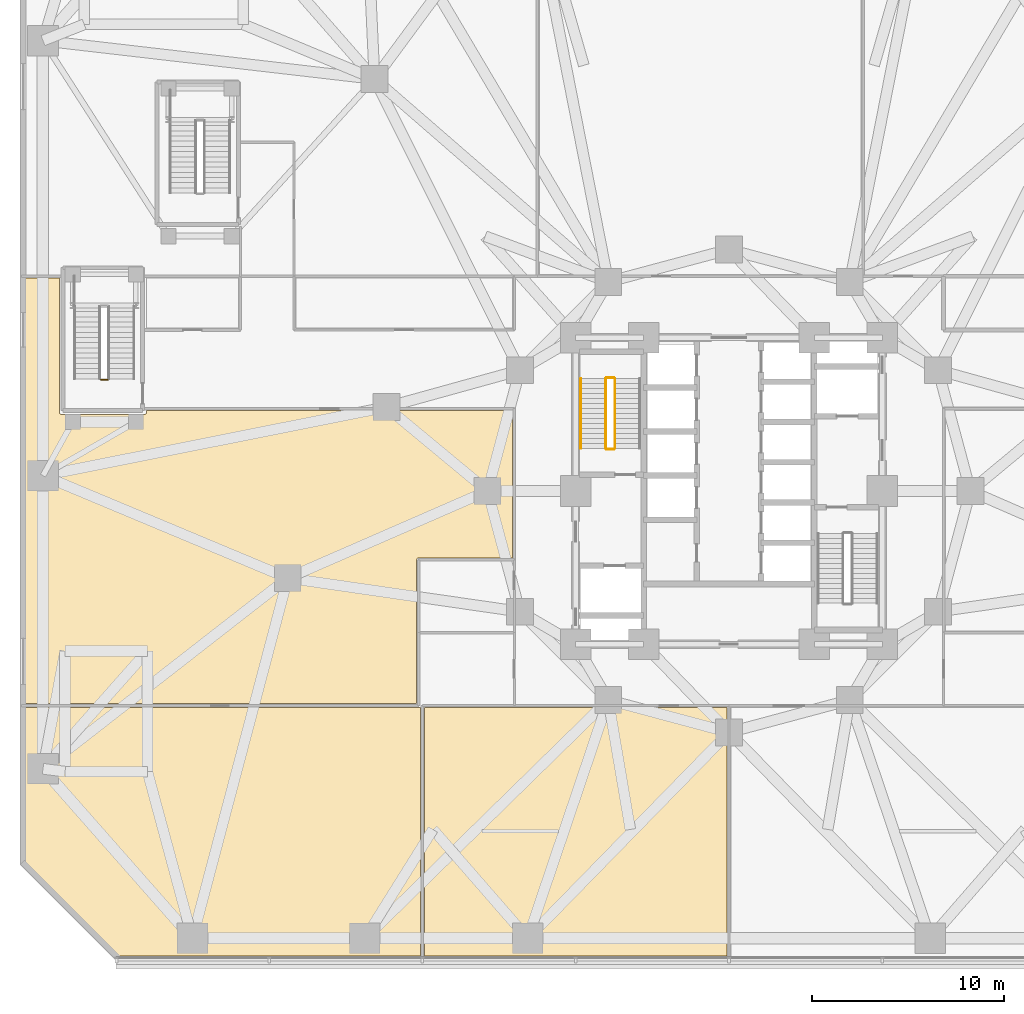
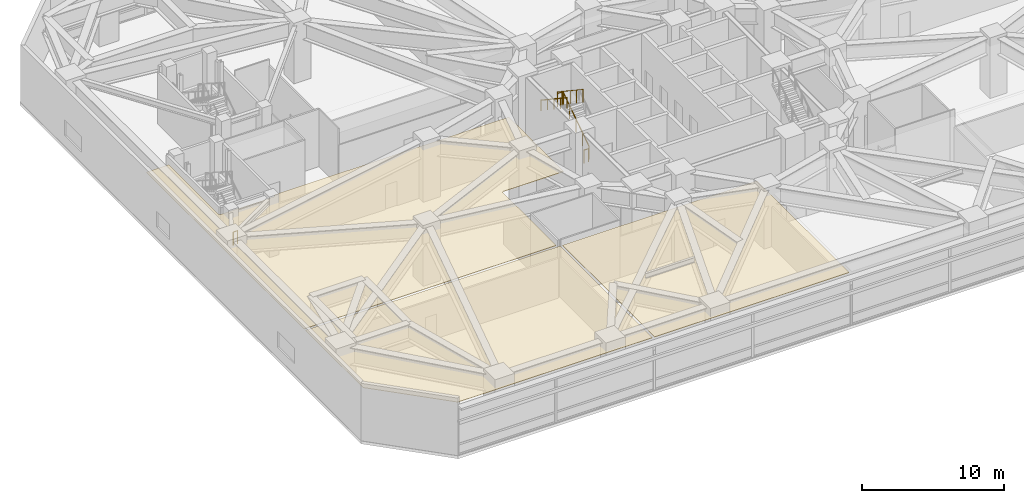
# One storey, part 22 of 27: 6 railings, 3 coverings.
"""IFC4 building model written with IfcOpenShell, lengths in metres."""

import ifcopenshell
import ifcopenshell.guid

model = None  # the IFC model being written
_history = None  # IfcOwnerHistory: only IFC2X3 demands one
_inside = {}  # id of a spatial element -> (the spatial element, [elements in it])
_under = {}  # id of a project, library or spatial element -> (it, [spatial elements below it])
_declared = {}  # id of a project -> (the project, [libraries it declares])
_typed = {}  # id of a type object -> (the type object, [elements of that type])
_made_of = {}  # id of a material, layer set ... -> (it, [elements and type objects made of it])


def new_model(schema):
    """Start an empty IFC model of exactly this schema.

    Asked for "IFC4X3", IfcOpenShell would pick the latest addendum, in which some entities
    have other attributes; the version numbers below select the first issue.
    IFC2X3 requires an IfcOwnerHistory on every rooted entity: one is made here for all.
    """
    global model, _history
    if schema == "IFC4X3":
        model = ifcopenshell.file(schema_version=(4, 3, 0, 0))
    else:
        model = ifcopenshell.file(schema=schema)
    _inside.clear()
    _under.clear()
    _declared.clear()
    _typed.clear()
    _made_of.clear()
    _history = None
    if model.schema == "IFC2X3":
        org = make("IfcOrganization", Name="unknown")
        user = make(
            "IfcPersonAndOrganization",
            ThePerson=make("IfcPerson", FamilyName="unknown"),
            TheOrganization=org,
        )
        app = make(
            "IfcApplication",
            ApplicationDeveloper=org,
            Version="unknown",
            ApplicationFullName="unknown",
            ApplicationIdentifier="unknown",
        )
        _history = make(
            "IfcOwnerHistory",
            OwningUser=user,
            OwningApplication=app,
            ChangeAction="ADDED",
            CreationDate=0,
        )
    return model


def make(cls, **values):
    """One entity of the class cls with the attributes given. An attribute that is None is left unset."""
    return model.create_entity(
        cls, **{name: value for name, value in values.items() if value is not None}
    )


def rooted(cls, **values):
    """An entity with a GlobalId (a new one), such as an element, a storey or a relation."""
    return make(cls, GlobalId=ifcopenshell.guid.new(), OwnerHistory=_history, **values)


def si_unit(unit_type, name, prefix=None):
    """IfcSIUnit, for example si_unit("LENGTHUNIT", "METRE", prefix="MILLI")."""
    return make("IfcSIUnit", UnitType=unit_type, Prefix=prefix, Name=name)


def assignment(units):
    """IfcUnitAssignment: the units of a project."""
    return None if units is None else make("IfcUnitAssignment", Units=units)


def point(xyz):
    """IfcCartesianPoint."""
    return None if xyz is None else make("IfcCartesianPoint", Coordinates=xyz)


def direction(xyz):
    """IfcDirection."""
    return None if xyz is None else make("IfcDirection", DirectionRatios=xyz)


def frame(location, z_axis=None, x_axis=None):
    """IfcAxis2Placement3D, a coordinate frame: its origin and axes. An axis left out is left unset."""
    return make(
        "IfcAxis2Placement3D",
        Location=point(location),
        Axis=direction(z_axis),
        RefDirection=direction(x_axis),
    )


def frame_2d(location, x_axis=None):
    """IfcAxis2Placement2D, a coordinate frame in the plane: its origin and x axis."""
    return make(
        "IfcAxis2Placement2D", Location=point(location), RefDirection=direction(x_axis)
    )


def origin():
    """The frame at (0, 0, 0) with its axes left unset."""
    return frame((0.0, 0.0, 0.0))


def origin_2d():
    """The frame at (0, 0) in the plane with its x axis left unset."""
    return frame_2d((0.0, 0.0))


def place(relative_to, where):
    """IfcLocalPlacement: puts the frame where relative to a parent placement (None: the world)."""
    return make(
        "IfcLocalPlacement", PlacementRelTo=relative_to, RelativePlacement=where
    )


def context(
    kind, dimensions, precision=None, world=None, true_north=None, identifier=None
):
    """IfcGeometricRepresentationContext, for example the 3D "Model" context."""
    return make(
        "IfcGeometricRepresentationContext",
        ContextIdentifier=identifier,
        ContextType=kind,
        CoordinateSpaceDimension=dimensions,
        Precision=precision,
        WorldCoordinateSystem=world,
        TrueNorth=true_north,
    )


def subcontext(parent, identifier, kind, view, scale=None):
    """IfcGeometricRepresentationSubContext, for example "Body" below "Model"."""
    return make(
        "IfcGeometricRepresentationSubContext",
        ContextIdentifier=identifier,
        ContextType=kind,
        ParentContext=parent,
        TargetScale=scale,
        TargetView=view,
    )


def project(units=None, contexts=None):
    """IfcProject with its units and contexts."""
    return rooted(
        "IfcProject",
        Name="project",
        RepresentationContexts=contexts,
        UnitsInContext=assignment(units),
    )


def spatial(cls, under=None, at=None, **own):
    """A site, building, storey or space (cls), placed at a placement, below another one or the project."""
    s = rooted(cls, ObjectPlacement=at, **own)
    if under is not None:
        _under.setdefault(under.id(), (under, []))[1].append(s)
    return s


def polyline(points):
    """IfcPolyline through the points."""
    return make("IfcPolyline", Points=[point(p) for p in points])


def profile(cls, at=None, kind="AREA", **sizes):
    """A parametric profile (cls). Its sizes go by their IFC names, for example OverallWidth=200.0."""
    return make(cls, ProfileType=kind, Position=at, **sizes)


def circle(**sizes):
    """IfcCircleProfileDef."""
    return profile("IfcCircleProfileDef", **sizes)


def outline(outer, holes=None, kind="AREA"):
    """IfcArbitraryClosedProfileDef: a profile drawn as a closed curve; with holes, ...WithVoids."""
    if holes is None:
        return make("IfcArbitraryClosedProfileDef", ProfileType=kind, OuterCurve=outer)
    return make(
        "IfcArbitraryProfileDefWithVoids",
        ProfileType=kind,
        OuterCurve=outer,
        InnerCurves=holes,
    )


def extrude(swept, where, along, depth):
    """IfcExtrudedAreaSolid: the profile swept, set in the frame where, extruded along a direction by depth."""
    return make(
        "IfcExtrudedAreaSolid",
        SweptArea=swept,
        Position=where,
        ExtrudedDirection=direction(along),
        Depth=depth,
    )


def shape(context_of_items, identifier, shape_type, items):
    """IfcShapeRepresentation: the items that make up one representation, for example the "Body"."""
    return make(
        "IfcShapeRepresentation",
        ContextOfItems=context_of_items,
        RepresentationIdentifier=identifier,
        RepresentationType=shape_type,
        Items=items,
    )


def material(Name=None, Category=None):
    """IfcMaterial."""
    return make("IfcMaterial", Name=Name, Category=Category)


def layer(
    of_material, thickness, ventilated=None, Name=None, Category=None, Priority=None
):
    """IfcMaterialLayer: one layer of a wall or slab, of a material (None: an air gap)."""
    return make(
        "IfcMaterialLayer",
        Material=of_material,
        LayerThickness=thickness,
        IsVentilated=ventilated,
        Name=Name,
        Category=Category,
        Priority=Priority,
    )


def layer_set(layers, Name=None):
    """IfcMaterialLayerSet."""
    return make("IfcMaterialLayerSet", MaterialLayers=layers, LayerSetName=Name)


def made_of(thing, what):
    """Note that an element or type object is made of a material, layer set ...; save() writes the relation."""
    if what is not None:
        _made_of.setdefault(what.id(), (what, []))[1].append(thing)
    return thing


def type_object(cls, material=None, **own):
    """A type object (cls), such as IfcWallType, which elements share."""
    return made_of(rooted(cls, **own), material)


def element(
    cls,
    number,
    at=None,
    inside=None,
    cuts=None,
    type_object=None,
    material=None,
    context=None,
    identifier="Body",
    shape_type=None,
    held_by="IfcProductDefinitionShape",
    body=None,
    shapes=None,
    **own,
):
    """One element of the class cls, such as IfcWall. Its Tag is "e" and its number.

    at: its placement. inside: the storey or other place that contains it. cuts: it is an
    opening in that element (IfcRelVoidsElement). A single representation is given by context,
    identifier, shape_type and body (its items); several are given by shapes. held_by: the class
    of the entity that holds the representations. save() writes the other relations.
    """
    e = rooted(cls, Tag="e%d" % number, ObjectPlacement=at, **own)
    if body is not None:
        shapes = [shape(context, identifier, shape_type, body)]
    if shapes is not None:
        e.Representation = make(held_by, Representations=shapes)
    if inside is not None:
        _inside.setdefault(inside.id(), (inside, []))[1].append(e)
    if cuts is not None:
        rooted(
            "IfcRelVoidsElement", RelatingBuildingElement=cuts, RelatedOpeningElement=e
        )
    if type_object is not None:
        _typed.setdefault(type_object.id(), (type_object, []))[1].append(e)
    return made_of(e, material)


def aggregate(whole, parts):
    """IfcRelAggregates: a whole, such as a stair, and the parts it consists of."""
    return rooted("IfcRelAggregates", RelatingObject=whole, RelatedObjects=parts)


def save(model, path):
    """Write the relations noted so far, then the file.

    IfcRelAggregates (storeys below a building ...), IfcRelContainedInSpatialStructure (elements
    in a storey), IfcRelDefinesByType, IfcRelAssociatesMaterial and IfcRelDeclares: one each for
    every whole, place, type object, material and project.
    """
    for whole, parts in _under.values():
        aggregate(whole, parts)
    for where, things in _inside.values():
        rooted(
            "IfcRelContainedInSpatialStructure",
            RelatedElements=things,
            RelatingStructure=where,
        )
    for kind, things in _typed.values():
        rooted("IfcRelDefinesByType", RelatedObjects=things, RelatingType=kind)
    for what, things in _made_of.values():
        rooted("IfcRelAssociatesMaterial", RelatedObjects=things, RelatingMaterial=what)
    for by, libraries in _declared.values():
        rooted("IfcRelDeclares", RelatingContext=by, RelatedDefinitions=libraries)
    model.write(path)


model = new_model("IFC4")

# Units and contexts
model_context = context("Model", 3, precision=1e-05, world=origin(), true_north=direction((0.0, 1.0)))
body_context = subcontext(model_context, "Body", "Model", "MODEL_VIEW")
ifc_project = project(units=[si_unit("LENGTHUNIT", "METRE"), si_unit("AREAUNIT", "SQUARE_METRE"), si_unit("VOLUMEUNIT", "CUBIC_METRE"), si_unit("PLANEANGLEUNIT", "RADIAN"), si_unit("MASSUNIT", "GRAM", prefix="KILO")], contexts=[model_context])

# Site, building, storey
site_placement = place(None, origin())
site = spatial("IfcSite", under=ifc_project, at=site_placement, CompositionType="ELEMENT")
building_placement = place(site_placement, origin())
building = spatial("IfcBuilding", under=site, at=building_placement, Name="Terralouvre Media Tower", CompositionType="ELEMENT")
storey_placement = place(building_placement, frame((0.0, 0.0, 20.800048828125)))
storey = spatial("IfcBuildingStorey", under=building, at=storey_placement, Name="L04", CompositionType="ELEMENT", Elevation=20.800048828125)

# Coverings
ifc_material_1 = material(Name="Perforated aluminium acoustic ceiling baffle", Category="aluminium")
ifc_layer_1 = layer(ifc_material_1, 0.0400390625, Name="Perforated Acoustic Metal Tile Ceiling CL-AC1")
ifc_layer_set_1 = layer_set([ifc_layer_1], Name="Perforated aluminium acoustic ceiling baffle")
covering_type = type_object("IfcCoveringType", Name="Perforated Acoustic Metal Tile Ceiling CL-AC1", PredefinedType="CEILING", material=ifc_layer_set_1)
covering_1_placement = place(storey_placement, frame((0.0, 0.0, 4.419921875)))
element("IfcCovering", 1, at=covering_1_placement, inside=storey, type_object=covering_type, Name="L04 L04 Integrated Digital Newsroom Open Office 1 Acoustic Ceiling", PredefinedType="CEILING", context=body_context, shape_type="SweptSolid", body=[
    extrude(outline(polyline([(-16.300048828125, -3.60009765625), (-16.299560546875, -3.590087890625), (-16.298095703125, -3.58056640625), (-16.295654296875, -3.571044921875), (-16.29248046875, -3.561767578125), (-16.2880859375, -3.552978515625), (-16.283203125, -3.54443359375), (-16.27734375, -3.53662109375), (-16.270751953125, -3.529296875), (-16.263427734375, -3.522705078125), (-16.255615234375, -3.516845703125), (-16.2470703125, -3.51171875), (-16.23828125, -3.507568359375), (-16.22900390625, -3.50439453125), (-16.219482421875, -3.501953125), (-16.209716796875, -3.50048828125), (-16.199951171875, -3.5), (-11.300048828125, -3.5), (-11.300048828125, 4.199951171875), (-30.39990234375, 4.199951171875), (-30.39990234375, 4.10009765625), (-30.400390625, 4.090087890625), (-30.40185546875, 4.08056640625), (-30.404296875, 4.071044921875), (-30.40771484375, 4.061767578125), (-30.411865234375, 4.052978515625), (-30.4169921875, 4.04443359375), (-30.422607421875, 4.03662109375), (-30.42919921875, 4.029296875), (-30.4365234375, 4.022705078125), (-30.4443359375, 4.016845703125), (-30.452880859375, 4.01171875), (-30.461669921875, 4.007568359375), (-30.470947265625, 4.00439453125), (-30.48046875, 4.001953125), (-30.490234375, 4.00048828125), (-30.5, 4.0), (-34.85009765625, 4.0), (-34.85986328125, 4.00048828125), (-34.869384765625, 4.001953125), (-34.87890625, 4.00439453125), (-34.88818359375, 4.007568359375), (-34.897216796875, 4.01171875), (-34.905517578125, 4.016845703125), (-34.913330078125, 4.022705078125), (-34.920654296875, 4.029296875), (-34.92724609375, 4.03662109375), (-34.93310546875, 4.04443359375), (-34.938232421875, 4.052978515625), (-34.9423828125, 4.061767578125), (-34.94580078125, 4.071044921875), (-34.947998046875, 4.08056640625), (-34.949462890625, 4.090087890625), (-34.949951171875, 4.10009765625), (-34.949951171875, 11.10009765625), (-36.780029296875, 11.10009765625), (-36.780029296875, -11.10009765625), (-16.300048828125, -11.10009765625), (-16.300048828125, -3.60009765625)])), origin(), (0.0, 0.0, 1.0), 0.0400390625),
])
covering_2_placement = place(storey_placement, frame((0.0, 0.0, 4.419921875)))
element("IfcCovering", 2, at=covering_2_placement, inside=storey, type_object=covering_type, Name="L04 L04 Staff Broadcast Canteen Dining Room 2 Acoustic Ceiling", PredefinedType="CEILING", context=body_context, shape_type="SweptSolid", body=[
    extrude(outline(polyline([(-16.10009765625, -24.280029296875), (-16.10009765625, -11.300048828125), (-36.780029296875, -11.300048828125), (-36.780029296875, -19.40869140625), (-31.90869140625, -24.280029296875), (-16.10009765625, -24.280029296875)])), origin(), (0.0, 0.0, 1.0), 0.0400390625),
])
covering_3_placement = place(storey_placement, frame((0.0, 0.0, 4.419921875)))
element("IfcCovering", 3, at=covering_3_placement, inside=storey, type_object=covering_type, Name="L04 L04 Commercial Culinary Kitchen 3 Acoustic Ceiling", PredefinedType="CEILING", context=body_context, shape_type="SweptSolid", body=[
    extrude(outline(polyline([(-15.89990234375, -11.300048828125), (-15.89990234375, -24.280029296875), (-0.10009765625, -24.280029296875), (-0.10009765625, -11.300048828125), (-15.89990234375, -11.300048828125)])), origin(), (0.0, 0.0, 1.0), 0.0400390625),
])

# Railings
ifc_material_2 = material(Name="Stainless steel 316 handrail and balustrade", Category="steel")
ifc_layer_2 = layer(ifc_material_2, 0.050048828125, Name="Stair Flight Wall Handrail HR-INT1")
ifc_layer_set_2 = layer_set([ifc_layer_2], Name="Stainless steel 316 handrail and balustrade")
railing_type_1 = type_object("IfcRailingType", Name="Stair Flight Wall Handrail HR-INT1", PredefinedType="HANDRAIL", material=ifc_layer_set_2)
railing_1_placement = place(storey_placement, frame((-7.72998046875, 5.860107421875, 2.773193359375)))
element("IfcRailing", 4, at=railing_1_placement, inside=storey, type_object=railing_type_1, Name="L04 ST-01 stair handrail 2", PredefinedType="HANDRAIL", context=body_context, shape_type="SweptSolid", body=[
    extrude(circle(Radius=0.02392578125, at=origin_2d()), frame((0.0, 0.0, 0.8759765625), z_axis=(0.0, -0.832050294338, 0.554700196225), x_axis=(1.0, 0.0, 0.0)), (0.0, 0.0, 1.0), 4.375),
    extrude(circle(Radius=0.02099609375, at=origin_2d()), origin(), (0.0, 0.0, 1.0), 0.851806640625),
    extrude(circle(Radius=0.02099609375, at=origin_2d()), frame((0.0, -0.91015625, 0.606689453125)), (0.0, 0.0, 1.0), 0.851806640625),
    extrude(circle(Radius=0.02099609375, at=origin_2d()), frame((0.0, -1.820068359375, 1.21337890625)), (0.0, 0.0, 1.0), 0.851806640625),
    extrude(circle(Radius=0.02099609375, at=origin_2d()), frame((0.0, -2.72998046875, 1.820068359375)), (0.0, 0.0, 1.0), 0.851806640625),
    extrude(circle(Radius=0.02099609375, at=origin_2d()), frame((0.0, -3.64013671875, 2.4267578125)), (0.0, 0.0, 1.0), 0.851806640625),
])
ifc_material_3 = material(Name="Stainless steel 316 handrail and balustrade", Category="steel")
ifc_layer_3 = layer(ifc_material_3, 0.050048828125, Name="Stairwell Safety Guardrail GR-INT1")
ifc_layer_set_3 = layer_set([ifc_layer_3], Name="Stainless steel 316 handrail and balustrade")
railing_type_2 = type_object("IfcRailingType", Name="Stairwell Safety Guardrail GR-INT1", PredefinedType="GUARDRAIL", material=ifc_layer_set_3)
railing_2_placement = place(storey_placement, frame((-5.949951171875, 2.219970703125, 0.17333984375)))
element("IfcRailing", 5, at=railing_2_placement, inside=storey, type_object=railing_type_2, Name="L04 ST-01 stair guard 1", PredefinedType="GUARDRAIL", context=body_context, shape_type="SweptSolid", body=[
    extrude(circle(Radius=0.02392578125, at=origin_2d()), frame((0.0, 0.0, 1.1259765625), z_axis=(0.0, 0.832076050322, 0.554661560305), x_axis=(-1.0, 0.0, 0.0)), (0.0, 0.0, 1.0), 4.374755859375),
    extrude(circle(Radius=0.02099609375, at=origin_2d()), origin(), (0.0, 0.0, 1.0), 1.101806640625),
    extrude(circle(Radius=0.02099609375, at=origin_2d()), frame((0.0, 0.91015625, 0.606689453125)), (0.0, 0.0, 1.0), 1.101806640625),
    extrude(circle(Radius=0.02099609375, at=origin_2d()), frame((0.0, 1.820068359375, 1.21337890625)), (0.0, 0.0, 1.0), 1.101806640625),
    extrude(circle(Radius=0.02099609375, at=origin_2d()), frame((0.0, 2.72998046875, 1.81982421875)), (0.0, 0.0, 1.0), 1.101806640625),
    extrude(circle(Radius=0.02099609375, at=origin_2d()), frame((0.0, 3.64013671875, 2.426513671875)), (0.0, 0.0, 1.0), 1.101806640625),
])
railing_3_placement = place(storey_placement, frame((-6.0, 5.909912109375, 2.599853515625)))
element("IfcRailing", 6, at=railing_3_placement, inside=storey, type_object=railing_type_2, Name="L04 ST-01 stair guard 2", PredefinedType="GUARDRAIL", context=body_context, shape_type="SweptSolid", body=[
    extrude(circle(Radius=0.02392578125, at=origin_2d()), frame((0.0, 0.0, 1.1259765625), z_axis=(-1.0, 0.0, 0.0), x_axis=(0.0, -1.0, 0.0)), (0.0, 0.0, 1.0), 0.3798828125),
    extrude(circle(Radius=0.02099609375, at=origin_2d()), origin(), (0.0, 0.0, 1.0), 1.101806640625),
    extrude(circle(Radius=0.02099609375, at=origin_2d()), frame((-0.3798828125, 0.0, 0.0)), (0.0, 0.0, 1.0), 1.101806640625),
])
railing_4_placement = place(storey_placement, frame((-6.429931640625, 5.860107421875, 2.773193359375)))
element("IfcRailing", 7, at=railing_4_placement, inside=storey, type_object=railing_type_2, Name="L04 ST-01 stair guard 3", PredefinedType="GUARDRAIL", context=body_context, shape_type="SweptSolid", body=[
    extrude(circle(Radius=0.02392578125, at=origin_2d()), frame((0.0, 0.0, 1.1259765625), z_axis=(0.0, -0.832050294338, 0.554700196225), x_axis=(1.0, 0.0, 0.0)), (0.0, 0.0, 1.0), 4.375),
    extrude(circle(Radius=0.02099609375, at=origin_2d()), origin(), (0.0, 0.0, 1.0), 1.101806640625),
    extrude(circle(Radius=0.02099609375, at=origin_2d()), frame((0.0, -0.91015625, 0.606689453125)), (0.0, 0.0, 1.0), 1.101806640625),
    extrude(circle(Radius=0.02099609375, at=origin_2d()), frame((0.0, -1.820068359375, 1.21337890625)), (0.0, 0.0, 1.0), 1.101806640625),
    extrude(circle(Radius=0.02099609375, at=origin_2d()), frame((0.0, -2.72998046875, 1.820068359375)), (0.0, 0.0, 1.0), 1.101806640625),
    extrude(circle(Radius=0.02099609375, at=origin_2d()), frame((0.0, -3.64013671875, 2.4267578125)), (0.0, 0.0, 1.0), 1.101806640625),
])
railing_5_placement = place(storey_placement, frame((-6.0, 2.169921875, 0.0)))
element("IfcRailing", 8, at=railing_5_placement, inside=storey, type_object=railing_type_2, Name="L04 ST-01 stair guard 4", PredefinedType="GUARDRAIL", context=body_context, shape_type="SweptSolid", body=[
    extrude(circle(Radius=0.02392578125, at=origin_2d()), frame((0.0, 0.0, 1.1259765625), z_axis=(-1.0, 0.0, 0.0), x_axis=(0.0, -1.0, 0.0)), (0.0, 0.0, 1.0), 0.3798828125),
    extrude(circle(Radius=0.02099609375, at=origin_2d()), origin(), (0.0, 0.0, 1.0), 1.101806640625),
    extrude(circle(Radius=0.02099609375, at=origin_2d()), frame((-0.3798828125, 0.0, 0.0)), (0.0, 0.0, 1.0), 1.101806640625),
])
railing_6_placement = place(storey_placement, frame((-32.419921875, 5.800048828125, 0.0)))
element("IfcRailing", 9, at=railing_6_placement, inside=storey, type_object=railing_type_2, Name="L04 ST-03 stair guard 4", PredefinedType="GUARDRAIL", context=body_context, shape_type="SweptSolid", body=[
    extrude(circle(Radius=0.02392578125, at=origin_2d()), frame((0.0, 0.0, 1.1259765625), z_axis=(-1.0, 0.0, 0.0), x_axis=(0.0, -1.0, 0.0)), (0.0, 0.0, 1.0), 0.360107421875),
    extrude(circle(Radius=0.02099609375, at=origin_2d()), origin(), (0.0, 0.0, 1.0), 1.101806640625),
    extrude(circle(Radius=0.02099609375, at=origin_2d()), frame((-0.360107421875, 0.0, 0.0)), (0.0, 0.0, 1.0), 1.101806640625),
])

save(model, "model.ifc")
